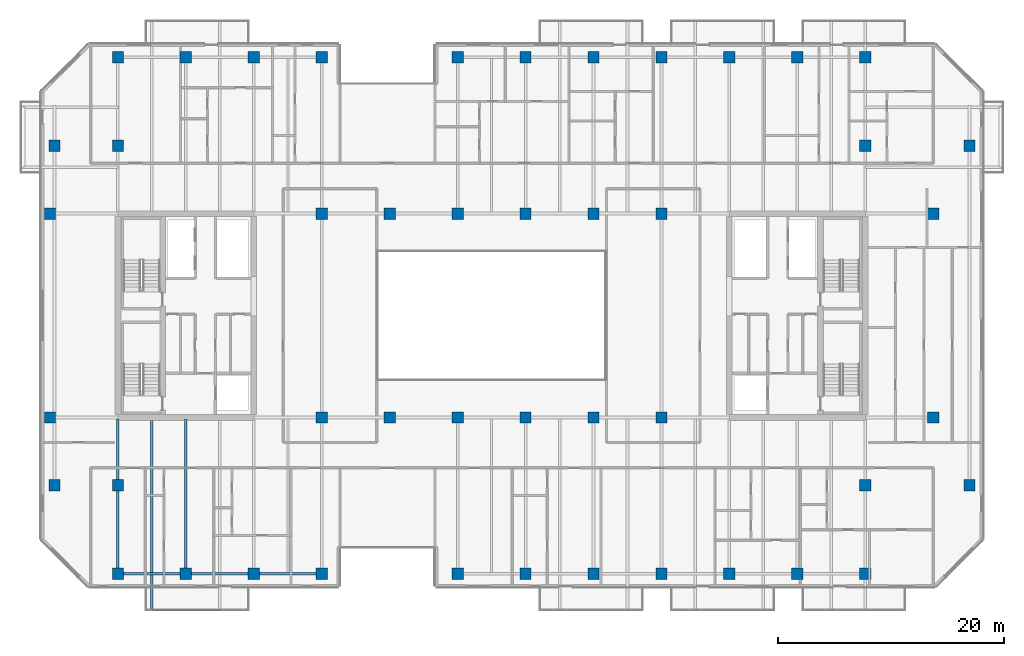
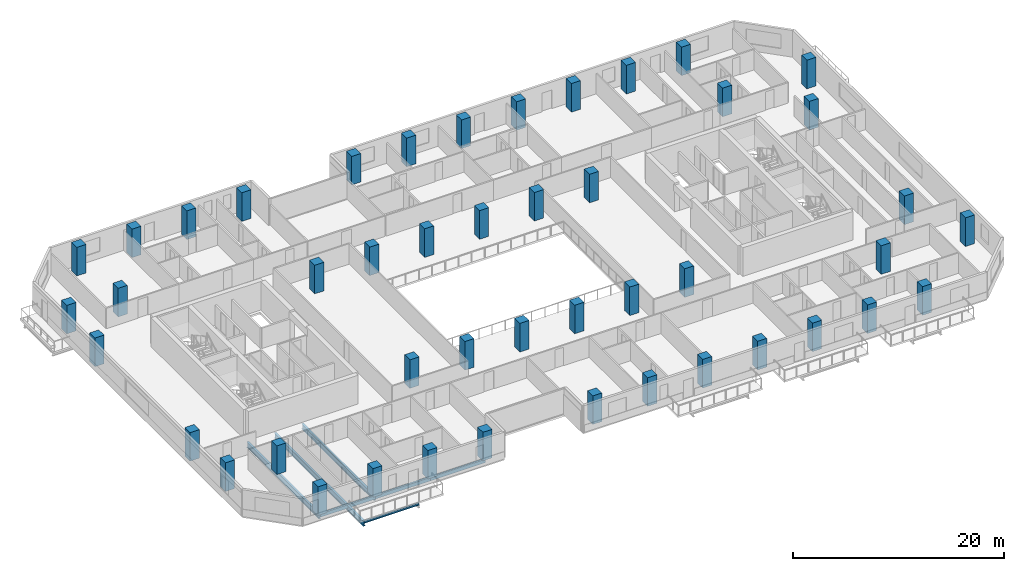
# One storey, part 1 of 23: 46 columns, 7 beams.
"""IFC4 building model written with IfcOpenShell, lengths in metres."""

from ifc_helpers import new_model, si_unit, direction, frame, origin, origin_2d, place, context, subcontext, project, spatial, rectangle, hollow_rectangle, i_section, extrude, material, material_profile, profile_set, type_object, element, save


model = new_model("IFC4")

# Units and contexts
model_context = context("Model", 3, precision=1e-05, world=origin(), true_north=direction((0.0, 1.0)))
body_context = subcontext(model_context, "Body", "Model", "MODEL_VIEW")
ifc_project = project(units=[si_unit("LENGTHUNIT", "METRE"), si_unit("AREAUNIT", "SQUARE_METRE"), si_unit("VOLUMEUNIT", "CUBIC_METRE"), si_unit("PLANEANGLEUNIT", "RADIAN"), si_unit("MASSUNIT", "GRAM", prefix="KILO")], contexts=[model_context])

# Site, building, storey
site_placement = place(None, origin())
site = spatial("IfcSite", under=ifc_project, at=site_placement, CompositionType="ELEMENT")
building_placement = place(site_placement, origin())
building = spatial("IfcBuilding", under=site, at=building_placement, Name="Tanjung Sevakor Pilgrim Tower", CompositionType="ELEMENT")
storey_placement = place(building_placement, frame((0.0, 0.0, 85.469970703125)))
storey = spatial("IfcBuildingStorey", under=building, at=storey_placement, Name="L23", CompositionType="ELEMENT", Elevation=85.469970703125)

# Columns
ifc_material_1 = material(Name="Concrete C60/75", Category="concrete")
ifc_material_profile_1 = material_profile(ifc_material_1, rectangle(XDim=1.0, YDim=1.0, at=origin_2d()))
ifc_profile_set_1 = profile_set([ifc_material_profile_1], Name="Concrete C60/75")
column_type = type_object("IfcColumnType", Name="COL-C-T1000-RC_1000x1000", PredefinedType="COLUMN", material=ifc_profile_set_1)
for number, where, z_axis, x_axis, name in (
    (1, (18.0, 24.60009765625, 0.0), (0.0, 0.0, 1.0), (1.0, 0.0, 0.0), "L23 Column SPW-018-246"),
    (2, (18.0, 42.60009765625, 0.0), (0.0, 0.0, 1.0), (1.0, 0.0, 0.0), "L23 Column SPW-018-426"),
    (3, (42.0, 24.60009765625, 0.0), (0.0, 0.0, 1.0), (1.0, 0.0, 0.0), "L23 Column SPW-042-246"),
    (4, (42.0, 42.60009765625, 0.0), (0.0, 0.0, 1.0), (1.0, 0.0, 0.0), "L23 Column SPW-042-426"),
    (5, (48.0, 24.60009765625, 0.0), (0.0, 0.0, 1.0), (1.0, 0.0, 0.0), "L23 Column SPW-048-246"),
    (6, (48.0, 42.60009765625, 0.0), (0.0, 0.0, 1.0), (1.0, 0.0, 0.0), "L23 Column SPW-048-426"),
    (7, (54.0, 24.60009765625, 0.0), (0.0, 0.0, 1.0), (1.0, 0.0, 0.0), "L23 Column SPE-054-246"),
    (8, (54.0, 42.60009765625, 0.0), (0.0, 0.0, 1.0), (1.0, 0.0, 0.0), "L23 Column SPE-054-426"),
    (9, (60.0, 24.60009765625, 0.0), (0.0, 0.0, 1.0), (1.0, 0.0, 0.0), "L23 Column SPE-060-246"),
    (10, (60.0, 42.60009765625, 0.0), (0.0, 0.0, 1.0), (1.0, 0.0, 0.0), "L23 Column SPE-060-426"),
    (11, (66.0, 24.60009765625, 0.0), (0.0, 0.0, 1.0), (1.0, 0.0, 0.0), "L23 Column SPE-066-246"),
    (12, (66.0, 42.60009765625, 0.0), (0.0, 0.0, 1.0), (1.0, 0.0, 0.0), "L23 Column SPE-066-426"),
    (13, (72.0, 24.60009765625, 0.0), (0.0, 0.0, 1.0), (1.0, 0.0, 0.0), "L23 Column SPE-072-246"),
    (14, (72.0, 42.60009765625, 0.0), (0.0, 0.0, 1.0), (1.0, 0.0, 0.0), "L23 Column SPE-072-426"),
    (15, (96.0, 24.60009765625, 0.0), (0.0, 0.0, 1.0), (1.0, 0.0, 0.0), "L23 Column SPE-096-246"),
    (16, (96.0, 42.60009765625, 0.0), (0.0, 0.0, 1.0), (1.0, 0.0, 0.0), "L23 Column SPE-096-426"),
    (17, (18.39990234375, 18.60009765625, 0.0), (0.0, 0.0, 1.0), (1.0, 0.0, 0.0), "L23 Column TCE-0184-186"),
    (18, (18.39990234375, 48.60009765625, 0.0), (0.0, 0.0, 1.0), (1.0, 0.0, 0.0), "L23 Column TCE-0184-486"),
    (19, (24.0, 18.60009765625, 0.0), (0.0, 0.0, 1.0), (1.0, 0.0, 0.0), "L23 Column TCE-0240-186"),
    (20, (24.0, 48.60009765625, 0.0), (0.0, 0.0, 1.0), (1.0, 0.0, 0.0), "L23 Column TCE-0240-486"),
    (21, (90.0, 18.60009765625, 0.0), (0.0, 0.0, 1.0), (1.0, 0.0, 0.0), "L23 Column TCE-0900-186"),
    (22, (90.0, 48.60009765625, 0.0), (0.0, 0.0, 1.0), (1.0, 0.0, 0.0), "L23 Column TCE-0900-486"),
    (23, (99.199951171875, 18.60009765625, 0.0), (0.0, 0.0, 1.0), (1.0, 0.0, 0.0), "L23 Column TCE-0992-186"),
    (24, (99.199951171875, 48.60009765625, 0.0), (0.0, 0.0, 1.0), (1.0, 0.0, 0.0), "L23 Column TCE-0992-486"),
    (25, (24.0, 10.800048828125, 0.0), (0.0, 0.0, 1.0), (1.0, 0.0, 0.0), "L23 Column TC2-024-108"),
    (26, (24.0, 56.39990234375, 0.0), (0.0, 0.0, 1.0), (1.0, 0.0, 0.0), "L23 Column TC2-024-564"),
    (27, (30.0, 10.800048828125, 0.0), (0.0, 0.0, 1.0), (1.0, 0.0, 0.0), "L23 Column TC2-030-108"),
    (28, (30.0, 56.39990234375, 0.0), (0.0, 0.0, 1.0), (1.0, 0.0, 0.0), "L23 Column TC2-030-564"),
    (29, (36.0, 10.800048828125, 0.0), (0.0, 0.0, 1.0), (1.0, 0.0, 0.0), "L23 Column TC2-036-108"),
    (30, (36.0, 56.39990234375, 0.0), (0.0, 0.0, 1.0), (1.0, 0.0, 0.0), "L23 Column TC2-036-564"),
    (31, (42.0, 10.800048828125, 0.0), (0.0, 0.0, 1.0), (1.0, 0.0, 0.0), "L23 Column TC2-042-108"),
    (32, (42.0, 56.39990234375, 0.0), (0.0, 0.0, 1.0), (1.0, 0.0, 0.0), "L23 Column TC2-042-564"),
    (33, (54.0, 10.800048828125, 0.0), (0.0, 0.0, 1.0), (1.0, 0.0, 0.0), "L23 Column TC2-054-108"),
    (34, (54.0, 56.39990234375, 0.0), (0.0, 0.0, 1.0), (1.0, 0.0, 0.0), "L23 Column TC2-054-564"),
    (35, (60.0, 10.800048828125, 0.0), (0.0, 0.0, 1.0), (1.0, 0.0, 0.0), "L23 Column TC2-060-108"),
    (36, (60.0, 56.39990234375, 0.0), (0.0, 0.0, 1.0), (1.0, 0.0, 0.0), "L23 Column TC2-060-564"),
    (37, (66.0, 10.800048828125, 0.0), (0.0, 0.0, 1.0), (1.0, 0.0, 0.0), "L23 Column TC2-066-108"),
    (38, (66.0, 56.39990234375, 0.0), (0.0, 0.0, 1.0), (1.0, 0.0, 0.0), "L23 Column TC2-066-564"),
    (39, (72.0, 10.800048828125, 0.0), (0.0, 0.0, 1.0), (1.0, 0.0, 0.0), "L23 Column TC2-072-108"),
    (40, (72.0, 56.39990234375, 0.0), (0.0, 0.0, 1.0), (1.0, 0.0, 0.0), "L23 Column TC2-072-564"),
    (41, (78.0, 10.800048828125, 0.0), (0.0, 0.0, 1.0), (1.0, 0.0, 0.0), "L23 Column TC2-078-108"),
    (42, (78.0, 56.39990234375, 0.0), (0.0, 0.0, 1.0), (1.0, 0.0, 0.0), "L23 Column TC2-078-564"),
    (43, (84.0, 10.800048828125, 0.0), (0.0, 0.0, 1.0), (1.0, 0.0, 0.0), "L23 Column TC2-084-108"),
    (44, (84.0, 56.39990234375, 0.0), (0.0, 0.0, 1.0), (1.0, 0.0, 0.0), "L23 Column TC2-084-564"),
    (45, (90.0, 10.800048828125, 0.0), (0.0, 0.0, 1.0), (1.0, 0.0, 0.0), "L23 Column TC2-090-108"),
    (46, (90.0, 56.39990234375, 0.0), (0.0, 0.0, 1.0), (1.0, 0.0, 0.0), "L23 Column TC2-090-564"),
):
    element("IfcColumn", number, at=place(storey_placement, frame(where, z_axis=z_axis, x_axis=x_axis)), inside=storey, type_object=column_type, Name=name, PredefinedType="COLUMN", context=body_context, shape_type="SweptSolid", body=[
        extrude(rectangle(XDim=1.0, YDim=1.0, at=origin_2d()), origin(), (0.0, 0.0, 1.0), 3.300048828125),
    ])

# Beams
ifc_material_2 = material(Name="Steel S355J2", Category="steel")
ifc_material_profile_2 = material_profile(ifc_material_2, i_section(OverallWidth=0.230224609375, OverallDepth=0.6171875, WebThickness=0.01318359375, FlangeThickness=0.022216796875, FilletRadius=0.0126953125, at=origin_2d()))
ifc_profile_set_2 = profile_set([ifc_material_profile_2], Name="Steel S355J2")
beam_type_1 = type_object("IfcBeamType", Name="BM-B-G3-UB_610x229x140", PredefinedType="BEAM", material=ifc_profile_set_2)
for number, where, z_axis, x_axis, name in (
    (47, (24.0, 10.800048828125, -0.528564453125), (0.0, 1.0, 0.0), (-1.0, 0.0, 0.0), "L23 MAIN Girder 001"),
    (48, (30.0, 10.800048828125, -0.528564453125), (0.0, 1.0, 0.0), (-1.0, 0.0, 0.0), "L23 MAIN Girder 003"),
):
    element("IfcBeam", number, at=place(storey_placement, frame(where, z_axis=z_axis, x_axis=x_axis)), inside=storey, type_object=beam_type_1, Name=name, PredefinedType="BEAM", context=body_context, shape_type="SweptSolid", body=[
        extrude(i_section(OverallWidth=0.230224609375, OverallDepth=0.6171875, WebThickness=0.01318359375, FlangeThickness=0.022216796875, FilletRadius=0.0126953125, at=origin_2d()), origin(), (0.0, 0.0, 1.0), 13.672607421875),
    ])
ifc_material_3 = material(Name="Steel S355J2", Category="steel")
ifc_material_profile_3 = material_profile(ifc_material_3, i_section(OverallWidth=0.22900390625, OverallDepth=0.6123046875, WebThickness=0.011962890625, FlangeThickness=0.01953125, FilletRadius=0.0126953125, at=origin_2d()))
ifc_profile_set_3 = profile_set([ifc_material_profile_3], Name="Steel S355J2")
beam_type_2 = type_object("IfcBeamType", Name="BM-B-G4-UB_610x229x125", PredefinedType="BEAM", material=ifc_profile_set_3)
beam_1_placement = place(storey_placement, frame((27.0, 24.47265625, -0.526123046875), z_axis=(0.0, -1.0, 0.0), x_axis=(1.0, 0.0, 0.0)))
element("IfcBeam", 49, at=beam_1_placement, inside=storey, type_object=beam_type_2, Name="L23 Balcony Cantilever Beam MAIN-S1-1", PredefinedType="BEAM", context=body_context, shape_type="SweptSolid", body=[
    extrude(i_section(OverallWidth=0.22900390625, OverallDepth=0.6123046875, WebThickness=0.011962890625, FlangeThickness=0.01953125, FilletRadius=0.0126953125, at=origin_2d()), origin(), (0.0, 0.0, 1.0), 16.8525390625),
])
ifc_material_4 = material(Name="Steel S355J2", Category="steel")
ifc_material_profile_4 = material_profile(ifc_material_4, i_section(OverallWidth=0.146484375, OverallDepth=0.256103515625, WebThickness=0.00634765625, FlangeThickness=0.010986328125, FilletRadius=0.007568359375, at=origin_2d()))
ifc_profile_set_4 = profile_set([ifc_material_profile_4], Name="Steel S355J2")
beam_type_3 = type_object("IfcBeamType", Name="BM-B-J6-UB_254x146x37", PredefinedType="JOIST", material=ifc_profile_set_4)
beam_2_placement = place(storey_placement, frame((27.0, 7.6201171875, -0.327880859375), z_axis=(1.0, 0.0, 0.0), x_axis=(0.0, 1.0, 0.0)))
element("IfcBeam", 50, at=beam_2_placement, inside=storey, type_object=beam_type_3, Name="L23 Balcony Rim Tie MAIN-S1", PredefinedType="JOIST", context=body_context, shape_type="SweptSolid", body=[
    extrude(i_section(OverallWidth=0.146484375, OverallDepth=0.256103515625, WebThickness=0.00634765625, FlangeThickness=0.010986328125, FilletRadius=0.007568359375, at=origin_2d()), origin(), (0.0, 0.0, 1.0), 6.0),
])
ifc_material_5 = material(Name="Steel S355J2", Category="steel")
ifc_material_profile_5 = material_profile(ifc_material_5, hollow_rectangle(XDim=0.199951171875, YDim=0.39990234375, WallThickness=0.01611328125, at=origin_2d()))
ifc_profile_set_5 = profile_set([ifc_material_profile_5], Name="Steel S355J2")
beam_type_4 = type_object("IfcBeamType", Name="BM-B-SP2-RHS_400x200x16", PredefinedType="SPANDREL", material=ifc_profile_set_5)
for number, where, z_axis, x_axis, name in (
    (51, (24.0, 10.800048828125, -0.419921875), (1.0, 0.0, 0.0), (0.0, 1.0, 0.0), "L23 Spandrel MAIN S-01"),
    (52, (30.0, 10.800048828125, -0.419921875), (1.0, 0.0, 0.0), (0.0, 1.0, 0.0), "L23 Spandrel MAIN S-03"),
    (53, (36.0, 10.800048828125, -0.419921875), (1.0, 0.0, 0.0), (0.0, 1.0, 0.0), "L23 Spandrel MAIN S-05"),
):
    element("IfcBeam", number, at=place(storey_placement, frame(where, z_axis=z_axis, x_axis=x_axis)), inside=storey, type_object=beam_type_4, Name=name, PredefinedType="SPANDREL", context=body_context, shape_type="SweptSolid", body=[
        extrude(hollow_rectangle(XDim=0.199951171875, YDim=0.39990234375, WallThickness=0.01611328125, at=origin_2d()), origin(), (0.0, 0.0, 1.0), 6.0),
    ])

save(model, "model.ifc")
